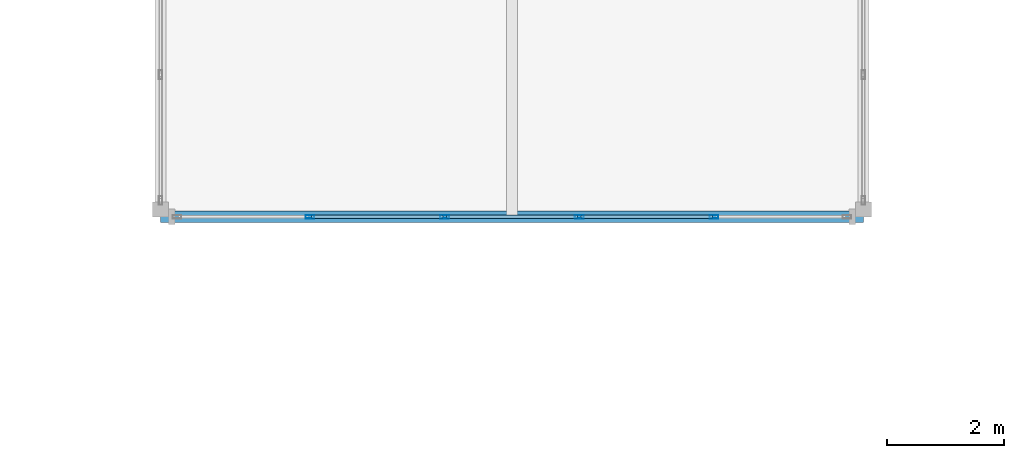
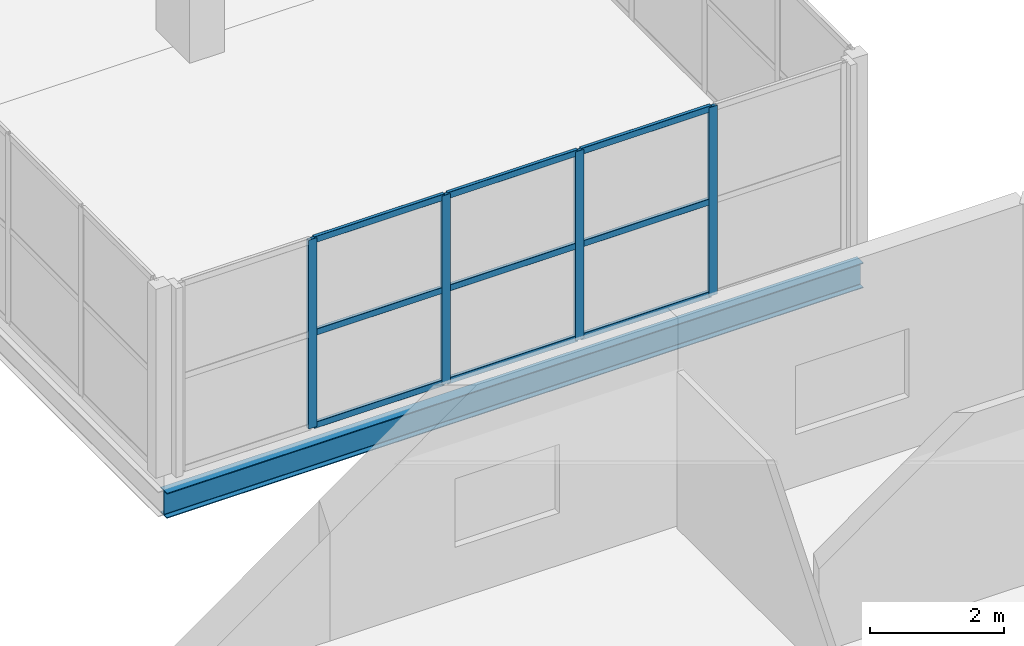
# One storey, part 27 of 127: 13 members, 1 beam, 1 element without a shape of its own.
"""IFC4 building model written with IfcOpenShell, lengths in metres."""

from ifc_helpers import new_model, si_unit, direction, frame, origin, origin_2d, place, context, subcontext, project, spatial, hollow_rectangle, i_section, extrude, material, layer, layer_set, material_profile, profile_set, type_object, element, aggregate, save


model = new_model("IFC4")

# Units and contexts
model_context = context("Model", 3, precision=1e-05, world=origin(), true_north=direction((0.0, 1.0)))
body_context = subcontext(model_context, "Body", "Model", "MODEL_VIEW")
ifc_project = project(units=[si_unit("LENGTHUNIT", "METRE"), si_unit("AREAUNIT", "SQUARE_METRE"), si_unit("VOLUMEUNIT", "CUBIC_METRE"), si_unit("PLANEANGLEUNIT", "RADIAN"), si_unit("MASSUNIT", "GRAM", prefix="KILO")], contexts=[model_context])

# Site, building, storey
site_placement = place(None, origin())
site = spatial("IfcSite", under=ifc_project, at=site_placement, CompositionType="ELEMENT")
building_placement = place(site_placement, origin())
building = spatial("IfcBuilding", under=site, at=building_placement, Name="Dunvalen Ferry Terminal", CompositionType="ELEMENT")
storey_placement = place(building_placement, frame((0.0, 0.0, 5.760009765625)))
storey = spatial("IfcBuildingStorey", under=building, at=storey_placement, Name="L01", CompositionType="ELEMENT", Elevation=5.760009765625)

# Curtain wall, members
ifc_material_1 = material(Name="Anodised marine aluminium and solar-control glazing", Category="aluminium")
ifc_layer = layer(ifc_material_1, 0.159912109375, Name="Anodised marine aluminium and solar-control glazing")
ifc_layer_set = layer_set([ifc_layer], Name="Anodised marine aluminium and solar-control glazing")
curtain_wall_type = type_object("IfcCurtainWallType", Name="ENV-CW-SYS-09", PredefinedType="NOTDEFINED", material=ifc_layer_set)
curtain_wall_placement = place(storey_placement, origin())
curtain_wall = element("IfcCurtainWall", 1, at=curtain_wall_placement, inside=storey, type_object=curtain_wall_type, Name="L01 Curtain Wall CW-LNK51-S", PredefinedType="NOTDEFINED")
ifc_material_2 = material(Name="Anodised marine aluminium EN AW-6063 T6", Category="aluminium")
ifc_material_profile_1 = material_profile(ifc_material_2, hollow_rectangle(XDim=0.06005859375, YDim=0.14990234375, WallThickness=0.00341796875, InnerFilletRadius=0.00341796875, OuterFilletRadius=0.007080078125, at=origin_2d()), Name="Anodised marine aluminium EN AW-6063 T6")
ifc_profile_set_1 = profile_set([ifc_material_profile_1], Name="Anodised marine aluminium EN AW-6063 T6")
member_type_1 = type_object("IfcMemberType", Name="ENV-CW-MUL-3", PredefinedType="MULLION", material=ifc_profile_set_1)
member_1_placement = place(storey_placement, frame((80.550048828125, 40.800048828125, 0.0), z_axis=(0.0, 0.0, 1.0), x_axis=(0.0, 1.0, 0.0)))
member_1 = element("IfcMember", 2, at=member_1_placement, type_object=member_type_1, Name="CW-09 mullion 2", PredefinedType="MULLION", context=body_context, shape_type="SweptSolid", body=[
    extrude(hollow_rectangle(XDim=0.06005859375, YDim=0.14990234375, WallThickness=0.00341796875, InnerFilletRadius=0.00341796875, OuterFilletRadius=0.007080078125, at=origin_2d()), origin(), (0.0, 0.0, 1.0), 3.43994140625),
])
member_2_placement = place(storey_placement, frame((82.85009765625, 40.800048828125, 0.0), z_axis=(0.0, 0.0, 1.0), x_axis=(0.0, 1.0, 0.0)))
member_2 = element("IfcMember", 3, at=member_2_placement, type_object=member_type_1, Name="CW-09 mullion 3", PredefinedType="MULLION", context=body_context, shape_type="SweptSolid", body=[
    extrude(hollow_rectangle(XDim=0.06005859375, YDim=0.14990234375, WallThickness=0.00341796875, InnerFilletRadius=0.00341796875, OuterFilletRadius=0.007080078125, at=origin_2d()), origin(), (0.0, 0.0, 1.0), 3.43994140625),
])
member_3_placement = place(storey_placement, frame((85.14990234375, 40.800048828125, 0.0), z_axis=(0.0, 0.0, 1.0), x_axis=(0.0, 1.0, 0.0)))
member_3 = element("IfcMember", 4, at=member_3_placement, type_object=member_type_1, Name="CW-09 mullion 4", PredefinedType="MULLION", context=body_context, shape_type="SweptSolid", body=[
    extrude(hollow_rectangle(XDim=0.06005859375, YDim=0.14990234375, WallThickness=0.00341796875, InnerFilletRadius=0.00341796875, OuterFilletRadius=0.007080078125, at=origin_2d()), origin(), (0.0, 0.0, 1.0), 3.43994140625),
])
member_4_placement = place(storey_placement, frame((87.449951171875, 40.800048828125, 0.0), z_axis=(0.0, 0.0, 1.0), x_axis=(0.0, 1.0, 0.0)))
member_4 = element("IfcMember", 5, at=member_4_placement, type_object=member_type_1, Name="CW-09 mullion 5", PredefinedType="MULLION", context=body_context, shape_type="SweptSolid", body=[
    extrude(hollow_rectangle(XDim=0.06005859375, YDim=0.14990234375, WallThickness=0.00341796875, InnerFilletRadius=0.00341796875, OuterFilletRadius=0.007080078125, at=origin_2d()), origin(), (0.0, 0.0, 1.0), 3.43994140625),
])
ifc_material_profile_2 = material_profile(ifc_material_2, hollow_rectangle(XDim=0.06005859375, YDim=0.114990234375, WallThickness=0.0029296875, InnerFilletRadius=0.0029296875, OuterFilletRadius=0.006103515625, at=origin_2d()), Name="Anodised marine aluminium EN AW-6063 T6")
ifc_profile_set_2 = profile_set([ifc_material_profile_2], Name="Anodised marine aluminium EN AW-6063 T6")
member_type_2 = type_object("IfcMemberType", Name="ENV-CW-TRN-3", PredefinedType="USERDEFINED", material=ifc_profile_set_2)
member_5_placement = place(storey_placement, frame((80.580078125, 40.800048828125, 0.030029296875), z_axis=(1.0, 0.0, 0.0), x_axis=(0.0, 1.0, 0.0)))
member_5 = element("IfcMember", 6, at=member_5_placement, type_object=member_type_2, Name="CW-09 transom 2.1", ObjectType="TRANSOM", PredefinedType="USERDEFINED", context=body_context, shape_type="SweptSolid", body=[
    extrude(hollow_rectangle(XDim=0.06005859375, YDim=0.114990234375, WallThickness=0.0029296875, InnerFilletRadius=0.0029296875, OuterFilletRadius=0.006103515625, at=origin_2d()), origin(), (0.0, 0.0, 1.0), 2.239990234375),
])
member_6_placement = place(storey_placement, frame((80.580078125, 40.800048828125, 1.719970703125), z_axis=(1.0, 0.0, 0.0), x_axis=(0.0, 1.0, 0.0)))
member_6 = element("IfcMember", 7, at=member_6_placement, type_object=member_type_2, Name="CW-09 transom 2.2", ObjectType="TRANSOM", PredefinedType="USERDEFINED", context=body_context, shape_type="SweptSolid", body=[
    extrude(hollow_rectangle(XDim=0.06005859375, YDim=0.114990234375, WallThickness=0.0029296875, InnerFilletRadius=0.0029296875, OuterFilletRadius=0.006103515625, at=origin_2d()), origin(), (0.0, 0.0, 1.0), 2.239990234375),
])
member_7_placement = place(storey_placement, frame((80.580078125, 40.800048828125, 3.409912109375), z_axis=(1.0, 0.0, 0.0), x_axis=(0.0, 1.0, 0.0)))
member_7 = element("IfcMember", 8, at=member_7_placement, type_object=member_type_2, Name="CW-09 transom 2.3", ObjectType="TRANSOM", PredefinedType="USERDEFINED", context=body_context, shape_type="SweptSolid", body=[
    extrude(hollow_rectangle(XDim=0.06005859375, YDim=0.114990234375, WallThickness=0.0029296875, InnerFilletRadius=0.0029296875, OuterFilletRadius=0.006103515625, at=origin_2d()), origin(), (0.0, 0.0, 1.0), 2.239990234375),
])
member_8_placement = place(storey_placement, frame((82.8798828125, 40.800048828125, 0.030029296875), z_axis=(1.0, 0.0, 0.0), x_axis=(0.0, 1.0, 0.0)))
member_8 = element("IfcMember", 9, at=member_8_placement, type_object=member_type_2, Name="CW-09 transom 3.1", ObjectType="TRANSOM", PredefinedType="USERDEFINED", context=body_context, shape_type="SweptSolid", body=[
    extrude(hollow_rectangle(XDim=0.06005859375, YDim=0.114990234375, WallThickness=0.0029296875, InnerFilletRadius=0.0029296875, OuterFilletRadius=0.006103515625, at=origin_2d()), origin(), (0.0, 0.0, 1.0), 2.240234375),
])
member_9_placement = place(storey_placement, frame((82.8798828125, 40.800048828125, 1.719970703125), z_axis=(1.0, 0.0, 0.0), x_axis=(0.0, 1.0, 0.0)))
member_9 = element("IfcMember", 10, at=member_9_placement, type_object=member_type_2, Name="CW-09 transom 3.2", ObjectType="TRANSOM", PredefinedType="USERDEFINED", context=body_context, shape_type="SweptSolid", body=[
    extrude(hollow_rectangle(XDim=0.06005859375, YDim=0.114990234375, WallThickness=0.0029296875, InnerFilletRadius=0.0029296875, OuterFilletRadius=0.006103515625, at=origin_2d()), origin(), (0.0, 0.0, 1.0), 2.240234375),
])
member_10_placement = place(storey_placement, frame((82.8798828125, 40.800048828125, 3.409912109375), z_axis=(1.0, 0.0, 0.0), x_axis=(0.0, 1.0, 0.0)))
member_10 = element("IfcMember", 11, at=member_10_placement, type_object=member_type_2, Name="CW-09 transom 3.3", ObjectType="TRANSOM", PredefinedType="USERDEFINED", context=body_context, shape_type="SweptSolid", body=[
    extrude(hollow_rectangle(XDim=0.06005859375, YDim=0.114990234375, WallThickness=0.0029296875, InnerFilletRadius=0.0029296875, OuterFilletRadius=0.006103515625, at=origin_2d()), origin(), (0.0, 0.0, 1.0), 2.240234375),
])
member_11_placement = place(storey_placement, frame((85.179931640625, 40.800048828125, 0.030029296875), z_axis=(1.0, 0.0, 0.0), x_axis=(0.0, 1.0, 0.0)))
member_11 = element("IfcMember", 12, at=member_11_placement, type_object=member_type_2, Name="CW-09 transom 4.1", ObjectType="TRANSOM", PredefinedType="USERDEFINED", context=body_context, shape_type="SweptSolid", body=[
    extrude(hollow_rectangle(XDim=0.06005859375, YDim=0.114990234375, WallThickness=0.0029296875, InnerFilletRadius=0.0029296875, OuterFilletRadius=0.006103515625, at=origin_2d()), origin(), (0.0, 0.0, 1.0), 2.239990234375),
])
member_12_placement = place(storey_placement, frame((85.179931640625, 40.800048828125, 1.719970703125), z_axis=(1.0, 0.0, 0.0), x_axis=(0.0, 1.0, 0.0)))
member_12 = element("IfcMember", 13, at=member_12_placement, type_object=member_type_2, Name="CW-09 transom 4.2", ObjectType="TRANSOM", PredefinedType="USERDEFINED", context=body_context, shape_type="SweptSolid", body=[
    extrude(hollow_rectangle(XDim=0.06005859375, YDim=0.114990234375, WallThickness=0.0029296875, InnerFilletRadius=0.0029296875, OuterFilletRadius=0.006103515625, at=origin_2d()), origin(), (0.0, 0.0, 1.0), 2.239990234375),
])
member_13_placement = place(storey_placement, frame((85.179931640625, 40.800048828125, 3.409912109375), z_axis=(1.0, 0.0, 0.0), x_axis=(0.0, 1.0, 0.0)))
member_13 = element("IfcMember", 14, at=member_13_placement, type_object=member_type_2, Name="CW-09 transom 4.3", ObjectType="TRANSOM", PredefinedType="USERDEFINED", context=body_context, shape_type="SweptSolid", body=[
    extrude(hollow_rectangle(XDim=0.06005859375, YDim=0.114990234375, WallThickness=0.0029296875, InnerFilletRadius=0.0029296875, OuterFilletRadius=0.006103515625, at=origin_2d()), origin(), (0.0, 0.0, 1.0), 2.239990234375),
])
aggregate(curtain_wall, [member_1, member_2, member_3, member_4, member_5, member_6, member_7, member_8, member_9, member_10, member_11, member_12, member_13])

# Beam
ifc_material_3 = material(Name="Steel S355", Category="steel")
ifc_material_profile_3 = material_profile(ifc_material_3, i_section(OverallWidth=0.1904296875, OverallDepth=0.45703125, WebThickness=0.009033203125, FlangeThickness=0.014404296875, FilletRadius=0.01025390625, at=origin_2d()), Name="Steel S355")
ifc_profile_set_3 = profile_set([ifc_material_profile_3], Name="Steel S355")
beam_type = type_object("IfcBeamType", Name="STR-BM-UKB457", PredefinedType="BEAM", material=ifc_profile_set_3)
beam_placement = place(storey_placement, frame((78.0, 40.800048828125, -0.489990234375), z_axis=(1.0, 0.0, 0.0), x_axis=(0.0, 1.0, 0.0)))
element("IfcBeam", 15, at=beam_placement, inside=storey, type_object=beam_type, Name="L01 Link Bridge LNK51 South Edge Beam", PredefinedType="BEAM", context=body_context, shape_type="SweptSolid", body=[
    extrude(i_section(OverallWidth=0.1904296875, OverallDepth=0.45703125, WebThickness=0.009033203125, FlangeThickness=0.014404296875, FilletRadius=0.01025390625, at=origin_2d()), origin(), (0.0, 0.0, 1.0), 12.0),
])

save(model, "model.ifc")
